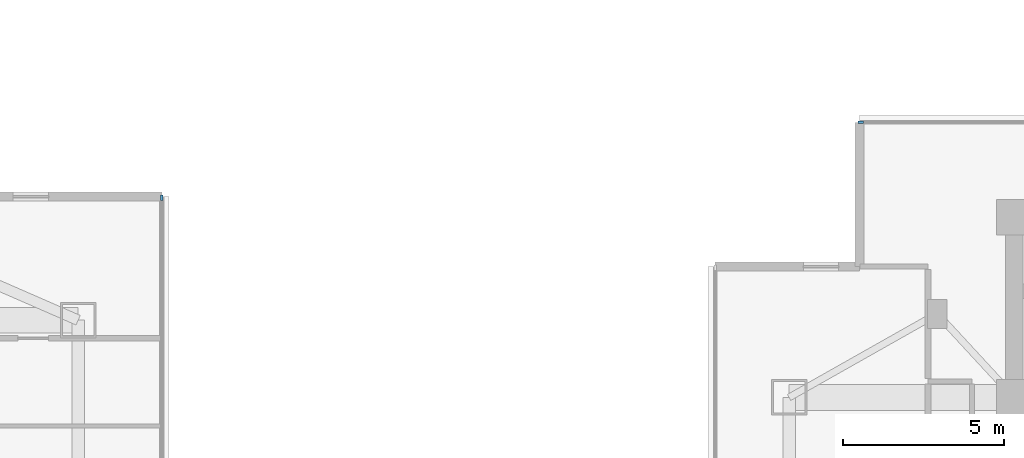
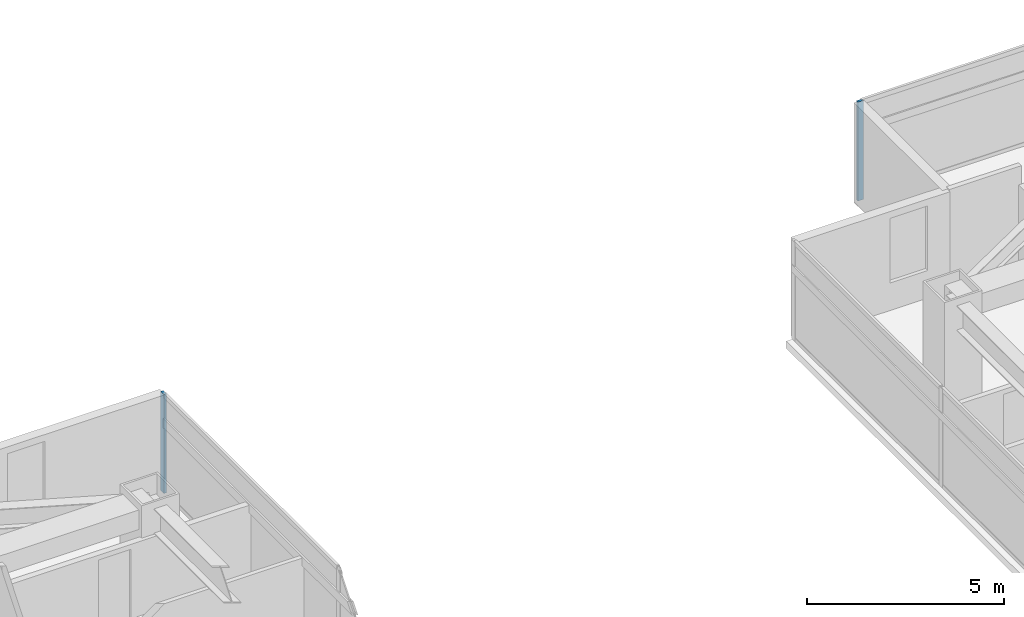
# One storey, part 8 of 25: 2 members, 2 elements without a shape of their own.
"""IFC4 building model written with IfcOpenShell, lengths in metres."""

import ifcopenshell
import ifcopenshell.guid

model = None  # the IFC model being written
_history = None  # IfcOwnerHistory: only IFC2X3 demands one
_inside = {}  # id of a spatial element -> (the spatial element, [elements in it])
_under = {}  # id of a project, library or spatial element -> (it, [spatial elements below it])
_declared = {}  # id of a project -> (the project, [libraries it declares])
_typed = {}  # id of a type object -> (the type object, [elements of that type])
_made_of = {}  # id of a material, layer set ... -> (it, [elements and type objects made of it])


def new_model(schema):
    """Start an empty IFC model of exactly this schema.

    Asked for "IFC4X3", IfcOpenShell would pick the latest addendum, in which some entities
    have other attributes; the version numbers below select the first issue.
    IFC2X3 requires an IfcOwnerHistory on every rooted entity: one is made here for all.
    """
    global model, _history
    if schema == "IFC4X3":
        model = ifcopenshell.file(schema_version=(4, 3, 0, 0))
    else:
        model = ifcopenshell.file(schema=schema)
    _inside.clear()
    _under.clear()
    _declared.clear()
    _typed.clear()
    _made_of.clear()
    _history = None
    if model.schema == "IFC2X3":
        org = make("IfcOrganization", Name="unknown")
        user = make(
            "IfcPersonAndOrganization",
            ThePerson=make("IfcPerson", FamilyName="unknown"),
            TheOrganization=org,
        )
        app = make(
            "IfcApplication",
            ApplicationDeveloper=org,
            Version="unknown",
            ApplicationFullName="unknown",
            ApplicationIdentifier="unknown",
        )
        _history = make(
            "IfcOwnerHistory",
            OwningUser=user,
            OwningApplication=app,
            ChangeAction="ADDED",
            CreationDate=0,
        )
    return model


def make(cls, **values):
    """One entity of the class cls with the attributes given. An attribute that is None is left unset."""
    return model.create_entity(
        cls, **{name: value for name, value in values.items() if value is not None}
    )


def rooted(cls, **values):
    """An entity with a GlobalId (a new one), such as an element, a storey or a relation."""
    return make(cls, GlobalId=ifcopenshell.guid.new(), OwnerHistory=_history, **values)


def si_unit(unit_type, name, prefix=None):
    """IfcSIUnit, for example si_unit("LENGTHUNIT", "METRE", prefix="MILLI")."""
    return make("IfcSIUnit", UnitType=unit_type, Prefix=prefix, Name=name)


def assignment(units):
    """IfcUnitAssignment: the units of a project."""
    return None if units is None else make("IfcUnitAssignment", Units=units)


def point(xyz):
    """IfcCartesianPoint."""
    return None if xyz is None else make("IfcCartesianPoint", Coordinates=xyz)


def direction(xyz):
    """IfcDirection."""
    return None if xyz is None else make("IfcDirection", DirectionRatios=xyz)


def frame(location, z_axis=None, x_axis=None):
    """IfcAxis2Placement3D, a coordinate frame: its origin and axes. An axis left out is left unset."""
    return make(
        "IfcAxis2Placement3D",
        Location=point(location),
        Axis=direction(z_axis),
        RefDirection=direction(x_axis),
    )


def frame_2d(location, x_axis=None):
    """IfcAxis2Placement2D, a coordinate frame in the plane: its origin and x axis."""
    return make(
        "IfcAxis2Placement2D", Location=point(location), RefDirection=direction(x_axis)
    )


def origin():
    """The frame at (0, 0, 0) with its axes left unset."""
    return frame((0.0, 0.0, 0.0))


def origin_2d():
    """The frame at (0, 0) in the plane with its x axis left unset."""
    return frame_2d((0.0, 0.0))


def place(relative_to, where):
    """IfcLocalPlacement: puts the frame where relative to a parent placement (None: the world)."""
    return make(
        "IfcLocalPlacement", PlacementRelTo=relative_to, RelativePlacement=where
    )


def context(
    kind, dimensions, precision=None, world=None, true_north=None, identifier=None
):
    """IfcGeometricRepresentationContext, for example the 3D "Model" context."""
    return make(
        "IfcGeometricRepresentationContext",
        ContextIdentifier=identifier,
        ContextType=kind,
        CoordinateSpaceDimension=dimensions,
        Precision=precision,
        WorldCoordinateSystem=world,
        TrueNorth=true_north,
    )


def subcontext(parent, identifier, kind, view, scale=None):
    """IfcGeometricRepresentationSubContext, for example "Body" below "Model"."""
    return make(
        "IfcGeometricRepresentationSubContext",
        ContextIdentifier=identifier,
        ContextType=kind,
        ParentContext=parent,
        TargetScale=scale,
        TargetView=view,
    )


def project(units=None, contexts=None):
    """IfcProject with its units and contexts."""
    return rooted(
        "IfcProject",
        Name="project",
        RepresentationContexts=contexts,
        UnitsInContext=assignment(units),
    )


def spatial(cls, under=None, at=None, **own):
    """A site, building, storey or space (cls), placed at a placement, below another one or the project."""
    s = rooted(cls, ObjectPlacement=at, **own)
    if under is not None:
        _under.setdefault(under.id(), (under, []))[1].append(s)
    return s


def profile(cls, at=None, kind="AREA", **sizes):
    """A parametric profile (cls). Its sizes go by their IFC names, for example OverallWidth=200.0."""
    return make(cls, ProfileType=kind, Position=at, **sizes)


def rectangle(**sizes):
    """IfcRectangleProfileDef."""
    return profile("IfcRectangleProfileDef", **sizes)


def extrude(swept, where, along, depth):
    """IfcExtrudedAreaSolid: the profile swept, set in the frame where, extruded along a direction by depth."""
    return make(
        "IfcExtrudedAreaSolid",
        SweptArea=swept,
        Position=where,
        ExtrudedDirection=direction(along),
        Depth=depth,
    )


def shape(context_of_items, identifier, shape_type, items):
    """IfcShapeRepresentation: the items that make up one representation, for example the "Body"."""
    return make(
        "IfcShapeRepresentation",
        ContextOfItems=context_of_items,
        RepresentationIdentifier=identifier,
        RepresentationType=shape_type,
        Items=items,
    )


def material(Name=None, Category=None):
    """IfcMaterial."""
    return make("IfcMaterial", Name=Name, Category=Category)


def material_profile(
    of_material, cross_section, Name=None, Category=None, Priority=None
):
    """IfcMaterialProfile: a cross section and its material."""
    return make(
        "IfcMaterialProfile",
        Name=Name,
        Material=of_material,
        Profile=cross_section,
        Priority=Priority,
        Category=Category,
    )


def profile_set(profiles, Name=None, composite=None):
    """IfcMaterialProfileSet."""
    return make(
        "IfcMaterialProfileSet",
        Name=Name,
        MaterialProfiles=profiles,
        CompositeProfile=composite,
    )


def made_of(thing, what):
    """Note that an element or type object is made of a material, layer set ...; save() writes the relation."""
    if what is not None:
        _made_of.setdefault(what.id(), (what, []))[1].append(thing)
    return thing


def type_object(cls, material=None, **own):
    """A type object (cls), such as IfcWallType, which elements share."""
    return made_of(rooted(cls, **own), material)


def element(
    cls,
    number,
    at=None,
    inside=None,
    cuts=None,
    type_object=None,
    material=None,
    context=None,
    identifier="Body",
    shape_type=None,
    held_by="IfcProductDefinitionShape",
    body=None,
    shapes=None,
    **own,
):
    """One element of the class cls, such as IfcWall. Its Tag is "e" and its number.

    at: its placement. inside: the storey or other place that contains it. cuts: it is an
    opening in that element (IfcRelVoidsElement). A single representation is given by context,
    identifier, shape_type and body (its items); several are given by shapes. held_by: the class
    of the entity that holds the representations. save() writes the other relations.
    """
    e = rooted(cls, Tag="e%d" % number, ObjectPlacement=at, **own)
    if body is not None:
        shapes = [shape(context, identifier, shape_type, body)]
    if shapes is not None:
        e.Representation = make(held_by, Representations=shapes)
    if inside is not None:
        _inside.setdefault(inside.id(), (inside, []))[1].append(e)
    if cuts is not None:
        rooted(
            "IfcRelVoidsElement", RelatingBuildingElement=cuts, RelatedOpeningElement=e
        )
    if type_object is not None:
        _typed.setdefault(type_object.id(), (type_object, []))[1].append(e)
    return made_of(e, material)


def aggregate(whole, parts):
    """IfcRelAggregates: a whole, such as a stair, and the parts it consists of."""
    return rooted("IfcRelAggregates", RelatingObject=whole, RelatedObjects=parts)


def save(model, path):
    """Write the relations noted so far, then the file.

    IfcRelAggregates (storeys below a building ...), IfcRelContainedInSpatialStructure (elements
    in a storey), IfcRelDefinesByType, IfcRelAssociatesMaterial and IfcRelDeclares: one each for
    every whole, place, type object, material and project.
    """
    for whole, parts in _under.values():
        aggregate(whole, parts)
    for where, things in _inside.values():
        rooted(
            "IfcRelContainedInSpatialStructure",
            RelatedElements=things,
            RelatingStructure=where,
        )
    for kind, things in _typed.values():
        rooted("IfcRelDefinesByType", RelatedObjects=things, RelatingType=kind)
    for what, things in _made_of.values():
        rooted("IfcRelAssociatesMaterial", RelatedObjects=things, RelatingMaterial=what)
    for by, libraries in _declared.values():
        rooted("IfcRelDeclares", RelatingContext=by, RelatedDefinitions=libraries)
    model.write(path)


model = new_model("IFC4")

# Units and contexts
model_context = context("Model", 3, precision=1e-05, world=origin(), true_north=direction((0.0, 1.0)))
body_context = subcontext(model_context, "Body", "Model", "MODEL_VIEW")
ifc_project = project(units=[si_unit("LENGTHUNIT", "METRE"), si_unit("AREAUNIT", "SQUARE_METRE"), si_unit("VOLUMEUNIT", "CUBIC_METRE"), si_unit("PLANEANGLEUNIT", "RADIAN"), si_unit("MASSUNIT", "GRAM", prefix="KILO")], contexts=[model_context])

# Site, building, storey
site_placement = place(None, origin())
site = spatial("IfcSite", under=ifc_project, at=site_placement, CompositionType="ELEMENT")
building_placement = place(site_placement, origin())
building = spatial("IfcBuilding", under=site, at=building_placement, Name="Mirazonda Arch Towers", CompositionType="ELEMENT")
storey_placement = place(building_placement, frame((0.0, 0.0, 131.300048828125)))
storey = spatial("IfcBuildingStorey", under=building, at=storey_placement, Name="L37", CompositionType="ELEMENT", Elevation=131.300048828125)

# Curtain wall, member
ifc_material_1 = material(Name="Anodised Aluminium and Low-E Glass", Category="aluminium")
curtain_wall_type = type_object("IfcCurtainWallType", Name="CW-HTL-UNIT", PredefinedType="NOTDEFINED", material=ifc_material_1)
curtain_wall_1_placement = place(storey_placement, origin())
curtain_wall_1 = element("IfcCurtainWall", 1, at=curtain_wall_1_placement, inside=storey, type_object=curtain_wall_type, Name="L37 T1 E Facade CW-L37-T1-E", PredefinedType="NOTDEFINED")
ifc_material_2 = material(Name="Anodised Aluminium Alloy", Category="aluminium")
ifc_material_profile = material_profile(ifc_material_2, rectangle(XDim=0.074951171875, YDim=0.1650390625, at=origin_2d()), Name="ALU-MULL-75x165")
ifc_profile_set = profile_set([ifc_material_profile], Name="Anodised Aluminium Alloy")
member_type = type_object("IfcMemberType", Name="MULL-CW-HTL-UNIT", PredefinedType="MULLION", material=ifc_profile_set)
member_1_placement = place(storey_placement, frame((41.5, 41.404541015625, 0.0), z_axis=(0.0, 0.0, 1.0), x_axis=(-1.0, 0.0, 0.0)))
member_1 = element("IfcMember", 2, at=member_1_placement, type_object=member_type, Name="CW-112 mullion 4", PredefinedType="MULLION", context=body_context, shape_type="SweptSolid", body=[
    extrude(rectangle(XDim=0.074951171875, YDim=0.1650390625, at=origin_2d()), origin(), (0.0, 0.0, 1.0), 3.06005859375),
])
aggregate(curtain_wall_1, [member_1])

curtain_wall_2_placement = place(storey_placement, origin())
curtain_wall_2 = element("IfcCurtainWall", 3, at=curtain_wall_2_placement, inside=storey, type_object=curtain_wall_type, Name="L37 T2 N Facade CW-L37-T2-N", PredefinedType="NOTDEFINED")
member_2_placement = place(storey_placement, frame((63.22705078125, 43.752197265625, 0.0), z_axis=(0.0, 0.0, 1.0), x_axis=(0.0, 1.0, 0.0)))
member_2 = element("IfcMember", 4, at=member_2_placement, type_object=member_type, Name="CW-112 mullion 1", PredefinedType="MULLION", context=body_context, shape_type="SweptSolid", body=[
    extrude(rectangle(XDim=0.074951171875, YDim=0.1650390625, at=origin_2d()), origin(), (0.0, 0.0, 1.0), 3.06005859375),
])
aggregate(curtain_wall_2, [member_2])

save(model, "model.ifc")
